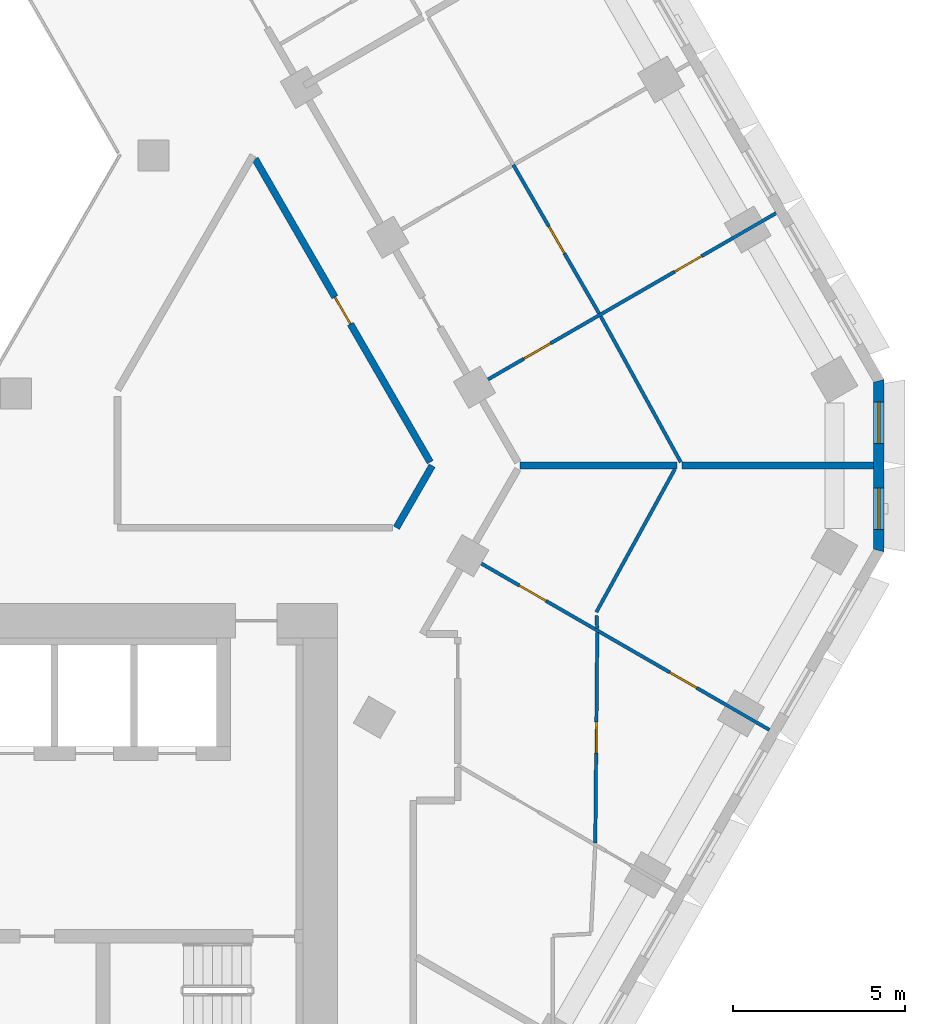
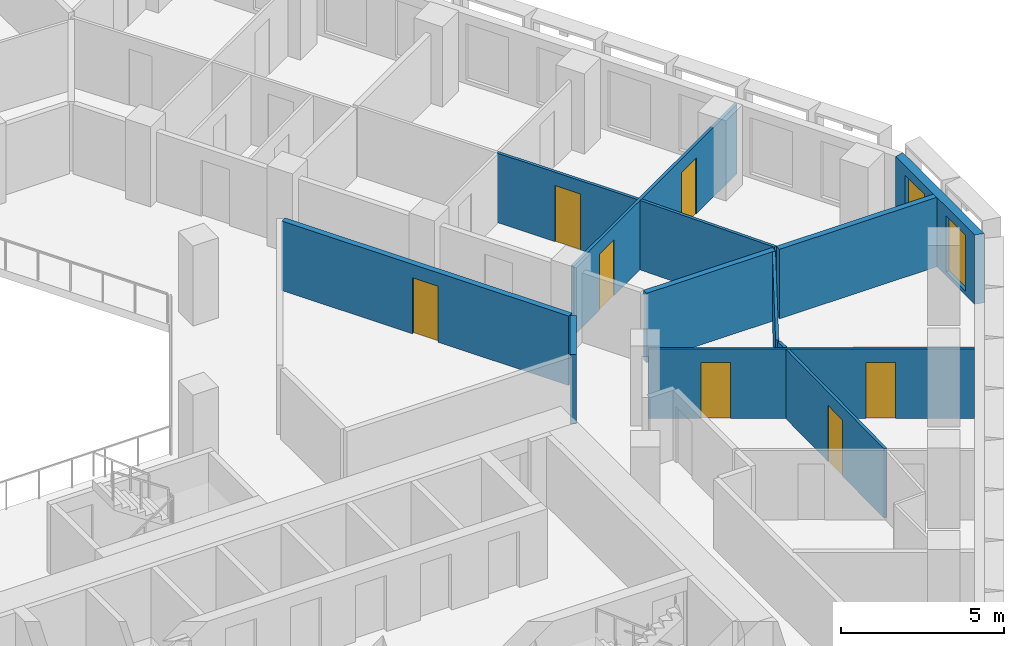
# One storey, part 7 of 18: 12 walls, 7 doors, 2 windows, 9 openings.
"""IFC4 building model written with IfcOpenShell, lengths in metres."""

from ifc_helpers import new_model, si_unit, direction, frame, frame_2d, origin, place, context, subcontext, project, spatial, polyline, rectangle, outline, extrude, material, layer, layer_set, type_object, element, fill, save


model = new_model("IFC4")

# Units and contexts
model_context = context("Model", 3, precision=1e-05, world=origin(), true_north=direction((0.0, 1.0)))
body_context = subcontext(model_context, "Body", "Model", "MODEL_VIEW")
ifc_project = project(units=[si_unit("LENGTHUNIT", "METRE"), si_unit("AREAUNIT", "SQUARE_METRE"), si_unit("VOLUMEUNIT", "CUBIC_METRE"), si_unit("PLANEANGLEUNIT", "RADIAN"), si_unit("MASSUNIT", "GRAM", prefix="KILO")], contexts=[model_context])

# Site, building, storey
site_placement = place(None, origin())
site = spatial("IfcSite", under=ifc_project, at=site_placement, CompositionType="ELEMENT")
building_placement = place(site_placement, origin())
building = spatial("IfcBuilding", under=site, at=building_placement, Name="Beryl Residences", CompositionType="ELEMENT")
storey_placement = place(building_placement, frame((0.0, 0.0, 105.0)))
storey = spatial("IfcBuildingStorey", under=building, at=storey_placement, Name="L32", CompositionType="ELEMENT", Elevation=105.0)

# Wall, openings, windows
ifc_material_1 = material(Name="Composite metal panel with mineral wool insulation")
ifc_layer_1 = layer(ifc_material_1, 0.300048828125)
ifc_layer_set_1 = layer_set([ifc_layer_1], Name="ES1 pale metal composite panel wall 300 mm")
wall_type_1 = type_object("IfcWallType", Name="ES1 pale metal composite panel wall 300 mm", PredefinedType="SOLIDWALL", material=ifc_layer_set_1)
wall_1_placement = place(storey_placement, frame((29.007080078125, -3.5, 0.0), z_axis=(0.0, 0.0, 1.0), x_axis=(0.0, 1.0, 0.0)))
wall_1 = element("IfcWall", 1, at=wall_1_placement, inside=storey, type_object=wall_type_1, Name="ES1 external wall L32 SE-NE", PredefinedType="SOLIDWALL", context=body_context, shape_type="SweptSolid", body=[
    extrude(outline(polyline([(0.0, -0.14990234375), (5.0, -0.14990234375), (4.919677734375, 0.14990234375), (0.080322265625, 0.14990234375), (0.0, -0.14990234375)])), origin(), (0.0, 0.0, 1.0), 2.60009765625),
])
opening_1_placement = place(wall_1_placement, frame((0.64990234375, 0.0, 0.14990234375)))
opening_1 = element("IfcOpeningElement", 2, at=opening_1_placement, cuts=wall_1, Name="Opening W2", PredefinedType="OPENING", context=body_context, shape_type="SweptSolid", body=[
    extrude(rectangle(XDim=1.199951171875, YDim=2.10009765625, at=frame_2d((0.60009765625, 1.050048828125))), frame((0.0, 0.159912109375, 0.0), z_axis=(0.0, -1.0, 0.0), x_axis=(1.0, 0.0, 0.0)), (0.0, 0.0, 1.0), 0.320068359375),
])
opening_2_placement = place(wall_1_placement, frame((3.14990234375, 0.0, 0.14990234375)))
opening_2 = element("IfcOpeningElement", 3, at=opening_2_placement, cuts=wall_1, Name="Opening W2", PredefinedType="OPENING", context=body_context, shape_type="SweptSolid", body=[
    extrude(rectangle(XDim=1.199951171875, YDim=2.10009765625, at=frame_2d((0.60009765625, 1.050048828125))), frame((0.0, 0.159912109375, 0.0), z_axis=(0.0, -1.0, 0.0), x_axis=(1.0, 0.0, 0.0)), (0.0, 0.0, 1.0), 0.320068359375),
])
ifc_material_2 = material(Name="Aluminium and clear glass", Category="aluminium")
window_type = type_object("IfcWindowType", Name="W2 chamfer window 1200 x 2100 mm", PartitioningType="SINGLE_PANEL", PredefinedType="WINDOW", material=ifc_material_2)
window_1_placement = place(opening_1_placement, origin())
window_1 = element("IfcWindow", 4, at=window_1_placement, inside=storey, type_object=window_type, Name="W2 window L32 SE-NE 1", OverallHeight=2.10009765625, OverallWidth=1.199951171875, PartitioningType="SINGLE_PANEL", PredefinedType="WINDOW", context=body_context, shape_type="SweptSolid", body=[
    extrude(rectangle(XDim=1.199951171875, YDim=2.10009765625, at=frame_2d((0.60009765625, 1.050048828125))), frame((0.0, 0.030029296875, 0.0), z_axis=(0.0, -1.0, 0.0), x_axis=(1.0, 0.0, 0.0)), (0.0, 0.0, 1.0), 0.06005859375),
])
fill(opening_1, window_1)
window_2_placement = place(opening_2_placement, origin())
window_2 = element("IfcWindow", 5, at=window_2_placement, inside=storey, type_object=window_type, Name="W2 window L32 SE-NE 2", OverallHeight=2.10009765625, OverallWidth=1.199951171875, PartitioningType="SINGLE_PANEL", PredefinedType="WINDOW", context=body_context, shape_type="SweptSolid", body=[
    extrude(rectangle(XDim=1.199951171875, YDim=2.10009765625, at=frame_2d((0.60009765625, 1.050048828125))), frame((0.0, 0.030029296875, 0.0), z_axis=(0.0, -1.0, 0.0), x_axis=(1.0, 0.0, 0.0)), (0.0, 0.0, 1.0), 0.06005859375),
])
fill(opening_2, window_2)

# Walls
ifc_material_3 = material(Name="Gypsum board partition on steel studs", Category="steel")
ifc_layer_2 = layer(ifc_material_3, 0.10009765625)
ifc_layer_set_2 = layer_set([ifc_layer_2], Name="PT1 partition 100 mm gypsum board on steel studs")
wall_type_2 = type_object("IfcWallType", Name="PT1 partition 100 mm gypsum board on steel studs", PredefinedType="PARTITIONING", material=ifc_layer_set_2)
wall_2_placement = place(storey_placement, frame((20.93896484375, 3.3310546875, 0.0), z_axis=(0.0, 0.0, 1.0), x_axis=(0.481207738216, -0.876606589458, 0.0)))
element("IfcWall", 6, at=wall_2_placement, inside=storey, type_object=wall_type_2, Name="Wall PT1 L32 005", PredefinedType="PARTITIONING", context=body_context, shape_type="SweptSolid", body=[
    extrude(rectangle(XDim=4.825439453125, YDim=0.10009765625, at=frame_2d((2.41259765625, 0.0))), origin(), (0.0, 0.0, 1.0), 2.60009765625),
])
wall_3_placement = place(storey_placement, frame((20.81591796875, -5.343017578125, 0.0), z_axis=(0.0, 0.0, 1.0), x_axis=(0.05045379463, -0.99872639627, 0.0)))
element("IfcWall", 7, at=wall_3_placement, inside=storey, type_object=wall_type_2, Name="Wall PT1 L32 008", PredefinedType="PARTITIONING", context=body_context, shape_type="SweptSolid", body=[
    extrude(rectangle(XDim=0.37744140625, YDim=0.10009765625, at=frame_2d((0.188720703125, 0.0))), origin(), (0.0, 0.0, 1.0), 2.60009765625),
])

# Wall, openings, doors
wall_4_placement = place(storey_placement, frame((17.1689453125, -3.662109375, 0.0), z_axis=(0.0, 0.0, 1.0), x_axis=(0.866047370643, -0.499961950354, 0.0)))
wall_4 = element("IfcWall", 8, at=wall_4_placement, inside=storey, type_object=wall_type_2, Name="Wall PT1 L32 023", PredefinedType="PARTITIONING", context=body_context, shape_type="SweptSolid", body=[
    extrude(rectangle(XDim=10.000732421875, YDim=0.10009765625, at=frame_2d((5.00048828125, 0.0))), origin(), (0.0, 0.0, 1.0), 2.60009765625),
])
opening_3_placement = place(wall_4_placement, frame((1.617919921875, 0.0, 0.0)))
opening_3 = element("IfcOpeningElement", 9, at=opening_3_placement, cuts=wall_4, Name="Opening D0718", PredefinedType="OPENING", context=body_context, shape_type="SweptSolid", body=[
    extrude(rectangle(XDim=0.89990234375, YDim=2.10009765625, at=frame_2d((0.449951171875, 1.050048828125))), frame((0.0, 0.06005859375, 0.0), z_axis=(0.0, -1.0, 0.0), x_axis=(1.0, 0.0, 0.0)), (0.0, 0.0, 1.0), 0.1201171875),
])
opening_4_placement = place(wall_4_placement, frame((6.66796875, 0.0, 0.0)))
opening_4 = element("IfcOpeningElement", 10, at=opening_4_placement, cuts=wall_4, Name="Opening D0719", PredefinedType="OPENING", context=body_context, shape_type="SweptSolid", body=[
    extrude(rectangle(XDim=0.89990234375, YDim=2.10009765625, at=frame_2d((0.449951171875, 1.050048828125))), frame((0.0, 0.06005859375, 0.0), z_axis=(0.0, -1.0, 0.0), x_axis=(1.0, 0.0, 0.0)), (0.0, 0.0, 1.0), 0.1201171875),
])
ifc_material_4 = material(Name="Timber door leaf", Category="wood")
door_type = type_object("IfcDoorType", Name="D2 room door 900 x 2100 mm", OperationType="SINGLE_SWING_LEFT", PredefinedType="DOOR", material=ifc_material_4)
door_1_placement = place(opening_3_placement, origin())
door_1 = element("IfcDoor", 11, at=door_1_placement, inside=storey, type_object=door_type, Name="Door D0718 L32 001", OperationType="SINGLE_SWING_RIGHT", OverallHeight=2.10009765625, OverallWidth=0.89990234375, PredefinedType="DOOR", context=body_context, shape_type="SweptSolid", body=[
    extrude(rectangle(XDim=0.89990234375, YDim=2.10009765625, at=frame_2d((0.449951171875, 1.050048828125))), frame((0.0, 0.02490234375, 0.0), z_axis=(0.0, -1.0, 0.0), x_axis=(1.0, 0.0, 0.0)), (0.0, 0.0, 1.0), 0.050048828125),
])
fill(opening_3, door_1)
door_2_placement = place(opening_4_placement, origin())
door_2 = element("IfcDoor", 12, at=door_2_placement, inside=storey, type_object=door_type, Name="Door D0719 L32 001", OperationType="SINGLE_SWING_LEFT", OverallHeight=2.10009765625, OverallWidth=0.89990234375, PredefinedType="DOOR", context=body_context, shape_type="SweptSolid", body=[
    extrude(rectangle(XDim=0.89990234375, YDim=2.10009765625, at=frame_2d((0.449951171875, 1.050048828125))), frame((0.0, 0.02490234375, 0.0), z_axis=(0.0, -1.0, 0.0), x_axis=(1.0, 0.0, 0.0)), (0.0, 0.0, 1.0), 0.050048828125),
])
fill(opening_4, door_2)

# Wall
wall_5_placement = place(storey_placement, frame((20.81201171875, -5.248046875, 0.0), z_axis=(0.0, 0.0, 1.0), x_axis=(0.481296891345, 0.876557643502, 0.0)))
element("IfcWall", 13, at=wall_5_placement, inside=storey, type_object=wall_type_2, Name="Wall PT1 L32 033", PredefinedType="PARTITIONING", context=body_context, shape_type="SweptSolid", body=[
    extrude(rectangle(XDim=4.733154296875, YDim=0.10009765625, at=frame_2d((2.36669921875, 0.0))), origin(), (0.0, 0.0, 1.0), 2.60009765625),
])

# Wall, opening, door
wall_6_placement = place(storey_placement, frame((20.781005859375, -11.93994140625, 0.0), z_axis=(0.0, 0.0, 1.0), x_axis=(0.009329670416, 0.999956477678, 0.0)))
wall_6 = element("IfcWall", 14, at=wall_6_placement, inside=storey, type_object=wall_type_2, Name="Wall PT1 L32 039", PredefinedType="PARTITIONING", context=body_context, shape_type="SweptSolid", body=[
    extrude(rectangle(XDim=6.09716796875, YDim=0.10009765625, at=frame_2d((3.048583984375, 0.0))), origin(), (0.0, 0.0, 1.0), 2.60009765625),
])
opening_5_placement = place(wall_6_placement, frame((2.60107421875, 0.0, 0.0)))
opening_5 = element("IfcOpeningElement", 15, at=opening_5_placement, cuts=wall_6, Name="Opening D0716", PredefinedType="OPENING", context=body_context, shape_type="SweptSolid", body=[
    extrude(rectangle(XDim=0.89990234375, YDim=2.10009765625, at=frame_2d((0.449951171875, 1.050048828125))), frame((0.0, 0.06005859375, 0.0), z_axis=(0.0, -1.0, 0.0), x_axis=(1.0, 0.0, 0.0)), (0.0, 0.0, 1.0), 0.1201171875),
])
door_3_placement = place(opening_5_placement, origin())
door_3 = element("IfcDoor", 16, at=door_3_placement, inside=storey, type_object=door_type, Name="Door D0716 L32 001", OperationType="SINGLE_SWING_RIGHT", OverallHeight=2.10009765625, OverallWidth=0.89990234375, PredefinedType="DOOR", context=body_context, shape_type="SweptSolid", body=[
    extrude(rectangle(XDim=0.89990234375, YDim=2.10009765625, at=frame_2d((0.449951171875, 1.050048828125))), frame((0.0, 0.02490234375, 0.0), z_axis=(0.0, -1.0, 0.0), x_axis=(1.0, 0.0, 0.0)), (0.0, 0.0, 1.0), 0.050048828125),
])
fill(opening_5, door_3)

# Wall, openings, doors
wall_7_placement = place(storey_placement, frame((17.364990234375, 1.324951171875, 0.0), z_axis=(0.0, 0.0, 1.0), x_axis=(0.866016855193, 0.500014806302, 0.0)))
wall_7 = element("IfcWall", 17, at=wall_7_placement, inside=storey, type_object=wall_type_2, Name="Wall PT1 L32 052", PredefinedType="PARTITIONING", context=body_context, shape_type="SweptSolid", body=[
    extrude(rectangle(XDim=9.999755859375, YDim=0.10009765625, at=frame_2d((5.0, 0.0))), origin(), (0.0, 0.0, 1.0), 2.60009765625),
])
opening_6_placement = place(wall_7_placement, frame((1.550048828125, 0.0, 0.0)))
opening_6 = element("IfcOpeningElement", 18, at=opening_6_placement, cuts=wall_7, Name="Opening D0724", PredefinedType="OPENING", context=body_context, shape_type="SweptSolid", body=[
    extrude(rectangle(XDim=0.89990234375, YDim=2.10009765625, at=frame_2d((0.449951171875, 1.050048828125))), frame((0.0, 0.06005859375, 0.0), z_axis=(0.0, -1.0, 0.0), x_axis=(1.0, 0.0, 0.0)), (0.0, 0.0, 1.0), 0.1201171875),
])
opening_7_placement = place(wall_7_placement, frame((6.60009765625, 0.0, 0.0)))
opening_7 = element("IfcOpeningElement", 19, at=opening_7_placement, cuts=wall_7, Name="Opening D0725", PredefinedType="OPENING", context=body_context, shape_type="SweptSolid", body=[
    extrude(rectangle(XDim=0.89990234375, YDim=2.10009765625, at=frame_2d((0.449951171875, 1.050048828125))), frame((0.0, 0.06005859375, 0.0), z_axis=(0.0, -1.0, 0.0), x_axis=(1.0, 0.0, 0.0)), (0.0, 0.0, 1.0), 0.1201171875),
])
door_4_placement = place(opening_6_placement, origin())
door_4 = element("IfcDoor", 20, at=door_4_placement, inside=storey, type_object=door_type, Name="Door D0724 L32 001", OperationType="SINGLE_SWING_RIGHT", OverallHeight=2.10009765625, OverallWidth=0.89990234375, PredefinedType="DOOR", context=body_context, shape_type="SweptSolid", body=[
    extrude(rectangle(XDim=0.89990234375, YDim=2.10009765625, at=frame_2d((0.449951171875, 1.050048828125))), frame((0.0, 0.02490234375, 0.0), z_axis=(0.0, -1.0, 0.0), x_axis=(1.0, 0.0, 0.0)), (0.0, 0.0, 1.0), 0.050048828125),
])
fill(opening_6, door_4)
door_5_placement = place(opening_7_placement, origin())
door_5 = element("IfcDoor", 21, at=door_5_placement, inside=storey, type_object=door_type, Name="Door D0725 L32 001", OperationType="SINGLE_SWING_LEFT", OverallHeight=2.10009765625, OverallWidth=0.89990234375, PredefinedType="DOOR", context=body_context, shape_type="SweptSolid", body=[
    extrude(rectangle(XDim=0.89990234375, YDim=2.10009765625, at=frame_2d((0.449951171875, 1.050048828125))), frame((0.0, 0.02490234375, 0.0), z_axis=(0.0, -1.0, 0.0), x_axis=(1.0, 0.0, 0.0)), (0.0, 0.0, 1.0), 0.050048828125),
])
fill(opening_7, door_5)

# Wall, opening, door
wall_8_placement = place(storey_placement, frame((18.403076171875, 7.72509765625, 0.0), z_axis=(0.0, 0.0, 1.0), x_axis=(0.500014231302, -0.866017187182, 0.0)))
wall_8 = element("IfcWall", 22, at=wall_8_placement, inside=storey, type_object=wall_type_2, Name="Wall PT1 L32 061", PredefinedType="PARTITIONING", context=body_context, shape_type="SweptSolid", body=[
    extrude(rectangle(XDim=4.973388671875, YDim=0.10009765625, at=frame_2d((2.48681640625, 0.0))), origin(), (0.0, 0.0, 1.0), 2.60009765625),
])
opening_8_placement = place(wall_8_placement, frame((2.06103515625, 0.0, 0.0)))
opening_8 = element("IfcOpeningElement", 23, at=opening_8_placement, cuts=wall_8, Name="Opening D0722", PredefinedType="OPENING", context=body_context, shape_type="SweptSolid", body=[
    extrude(rectangle(XDim=0.89990234375, YDim=2.10009765625, at=frame_2d((0.449951171875, 1.050048828125))), frame((0.0, 0.06005859375, 0.0), z_axis=(0.0, -1.0, 0.0), x_axis=(1.0, 0.0, 0.0)), (0.0, 0.0, 1.0), 0.1201171875),
])
door_6_placement = place(opening_8_placement, origin())
door_6 = element("IfcDoor", 24, at=door_6_placement, inside=storey, type_object=door_type, Name="Door D0722 L32 001", OperationType="SINGLE_SWING_RIGHT", OverallHeight=2.10009765625, OverallWidth=0.89990234375, PredefinedType="DOOR", context=body_context, shape_type="SweptSolid", body=[
    extrude(rectangle(XDim=0.89990234375, YDim=2.10009765625, at=frame_2d((0.449951171875, 1.050048828125))), frame((0.0, 0.02490234375, 0.0), z_axis=(0.0, -1.0, 0.0), x_axis=(1.0, 0.0, 0.0)), (0.0, 0.0, 1.0), 0.050048828125),
])
fill(opening_8, door_6)

# Walls
ifc_material_5 = material(Name="Acoustic double stud gypsum board wall")
ifc_layer_3 = layer(ifc_material_5, 0.199951171875)
ifc_layer_set_3 = layer_set([ifc_layer_3], Name="PT3 party wall 200 mm acoustic double stud")
wall_type_3 = type_object("IfcWallType", Name="PT3 party wall 200 mm acoustic double stud", PredefinedType="PARTITIONING", material=ifc_layer_set_3)
wall_9_placement = place(storey_placement, frame((18.591064453125, -0.9990234375, 0.0), z_axis=(0.0, 0.0, 1.0), x_axis=(1.0, 0.0, 0.0)))
element("IfcWall", 25, at=wall_9_placement, inside=storey, type_object=wall_type_3, Name="Wall PT3 L32 010", PredefinedType="PARTITIONING", context=body_context, shape_type="SweptSolid", body=[
    extrude(rectangle(XDim=4.553955078125, YDim=0.199951171875, at=frame_2d((2.27685546875, 0.0))), origin(), (0.0, 0.0, 1.0), 2.60009765625),
])
wall_10_placement = place(storey_placement, frame((23.2939453125, -0.9990234375, 0.0), z_axis=(0.0, 0.0, 1.0), x_axis=(1.0, 0.0, 0.0)))
element("IfcWall", 26, at=wall_10_placement, inside=storey, type_object=wall_type_3, Name="Wall PT3 L32 011", PredefinedType="PARTITIONING", context=body_context, shape_type="SweptSolid", body=[
    extrude(rectangle(XDim=5.56298828125, YDim=0.199951171875, at=frame_2d((2.781494140625, 0.0))), origin(), (0.0, 0.0, 1.0), 2.60009765625),
])

# Wall, opening, door
ifc_material_6 = material(Name="Double stud gypsum board wall")
ifc_layer_4 = layer(ifc_material_6, 0.199951171875)
ifc_layer_set_4 = layer_set([ifc_layer_4], Name="PT4 corridor wall 200 mm double stud")
wall_type_4 = type_object("IfcWallType", Name="PT4 corridor wall 200 mm double stud", PredefinedType="PARTITIONING", material=ifc_layer_set_4)
wall_11_placement = place(storey_placement, frame((10.9130859375, 7.89892578125, 0.0), z_axis=(0.0, 0.0, 1.0), x_axis=(0.500028940566, -0.866008694296, 0.0)))
wall_11 = element("IfcWall", 27, at=wall_11_placement, inside=storey, type_object=wall_type_4, Name="Wall PT4 L32 006", PredefinedType="PARTITIONING", context=body_context, shape_type="SweptSolid", body=[
    extrude(rectangle(XDim=10.1591796875, YDim=0.199951171875, at=frame_2d((5.07958984375, 0.0))), origin(), (0.0, 0.0, 1.0), 2.60009765625),
])
opening_9_placement = place(wall_11_placement, frame((4.6298828125, 0.0, 0.0)))
opening_9 = element("IfcOpeningElement", 28, at=opening_9_placement, cuts=wall_11, Name="Opening D0760", PredefinedType="OPENING", context=body_context, shape_type="SweptSolid", body=[
    extrude(rectangle(XDim=0.89990234375, YDim=2.10009765625, at=frame_2d((0.449951171875, 1.050048828125))), frame((0.0, 0.10986328125, 0.0), z_axis=(0.0, -1.0, 0.0), x_axis=(1.0, 0.0, 0.0)), (0.0, 0.0, 1.0), 0.219970703125),
])
door_7_placement = place(opening_9_placement, origin())
door_7 = element("IfcDoor", 29, at=door_7_placement, inside=storey, type_object=door_type, Name="Door D0760 L32 001", OperationType="SINGLE_SWING_RIGHT", OverallHeight=2.10009765625, OverallWidth=0.89990234375, PredefinedType="DOOR", context=body_context, shape_type="SweptSolid", body=[
    extrude(rectangle(XDim=0.89990234375, YDim=2.10009765625, at=frame_2d((0.449951171875, 1.050048828125))), frame((0.0, 0.02490234375, 0.0), z_axis=(0.0, -1.0, 0.0), x_axis=(1.0, 0.0, 0.0)), (0.0, 0.0, 1.0), 0.050048828125),
])
fill(opening_9, door_7)

# Wall
wall_12_placement = place(storey_placement, frame((15.010986328125, -2.800048828125, 0.0), z_axis=(0.0, 0.0, 1.0), x_axis=(0.499929208183, 0.866066271601, 0.0)))
element("IfcWall", 30, at=wall_12_placement, inside=storey, type_object=wall_type_4, Name="Wall PT4 L32 024", PredefinedType="PARTITIONING", context=body_context, shape_type="SweptSolid", body=[
    extrude(rectangle(XDim=2.078369140625, YDim=0.199951171875, at=frame_2d((1.0390625, 0.0))), origin(), (0.0, 0.0, 1.0), 2.60009765625),
])

save(model, "model.ifc")
